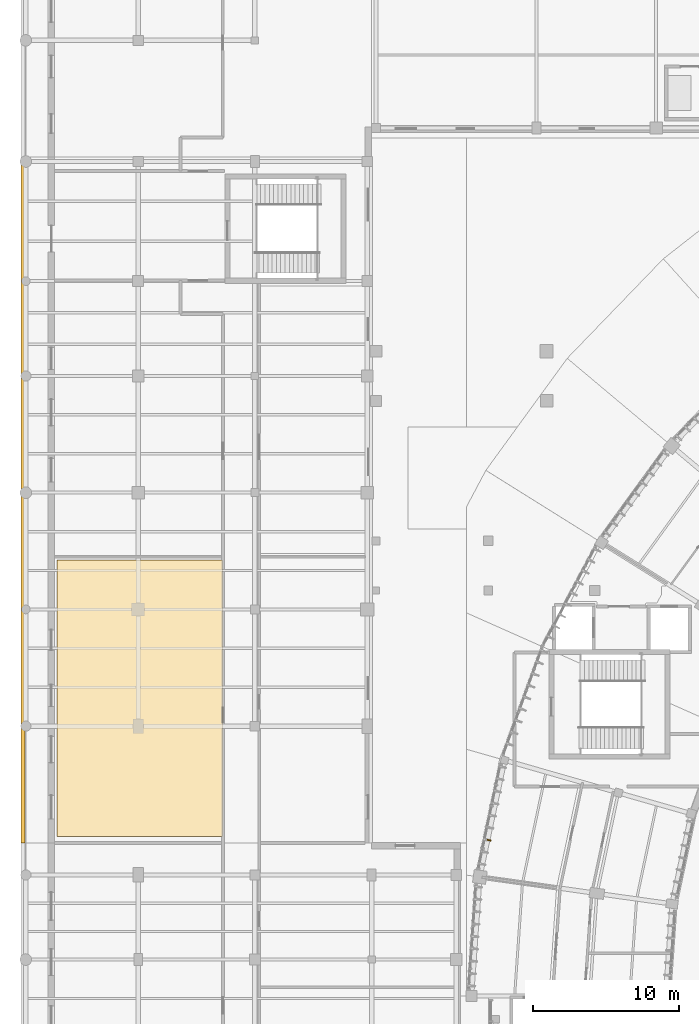
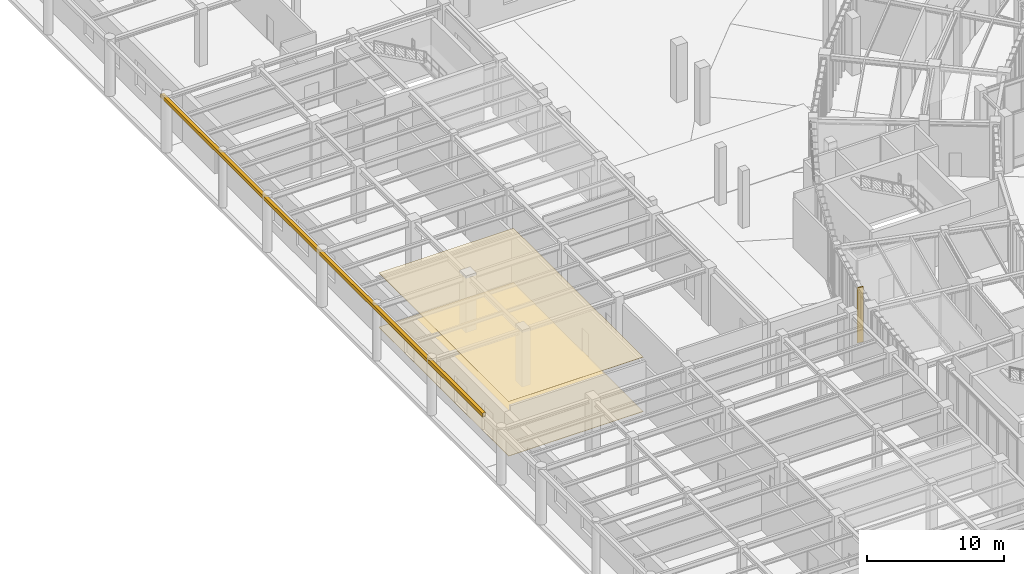
# One storey, part 56 of 68: 4 coverings.
"""IFC4 building model written with IfcOpenShell, lengths in metres."""

import ifcopenshell
import ifcopenshell.guid

model = None  # the IFC model being written
_history = None  # IfcOwnerHistory: only IFC2X3 demands one
_inside = {}  # id of a spatial element -> (the spatial element, [elements in it])
_under = {}  # id of a project, library or spatial element -> (it, [spatial elements below it])
_declared = {}  # id of a project -> (the project, [libraries it declares])
_typed = {}  # id of a type object -> (the type object, [elements of that type])
_made_of = {}  # id of a material, layer set ... -> (it, [elements and type objects made of it])


def new_model(schema):
    """Start an empty IFC model of exactly this schema.

    Asked for "IFC4X3", IfcOpenShell would pick the latest addendum, in which some entities
    have other attributes; the version numbers below select the first issue.
    IFC2X3 requires an IfcOwnerHistory on every rooted entity: one is made here for all.
    """
    global model, _history
    if schema == "IFC4X3":
        model = ifcopenshell.file(schema_version=(4, 3, 0, 0))
    else:
        model = ifcopenshell.file(schema=schema)
    _inside.clear()
    _under.clear()
    _declared.clear()
    _typed.clear()
    _made_of.clear()
    _history = None
    if model.schema == "IFC2X3":
        org = make("IfcOrganization", Name="unknown")
        user = make(
            "IfcPersonAndOrganization",
            ThePerson=make("IfcPerson", FamilyName="unknown"),
            TheOrganization=org,
        )
        app = make(
            "IfcApplication",
            ApplicationDeveloper=org,
            Version="unknown",
            ApplicationFullName="unknown",
            ApplicationIdentifier="unknown",
        )
        _history = make(
            "IfcOwnerHistory",
            OwningUser=user,
            OwningApplication=app,
            ChangeAction="ADDED",
            CreationDate=0,
        )
    return model


def make(cls, **values):
    """One entity of the class cls with the attributes given. An attribute that is None is left unset."""
    return model.create_entity(
        cls, **{name: value for name, value in values.items() if value is not None}
    )


def rooted(cls, **values):
    """An entity with a GlobalId (a new one), such as an element, a storey or a relation."""
    return make(cls, GlobalId=ifcopenshell.guid.new(), OwnerHistory=_history, **values)


def si_unit(unit_type, name, prefix=None):
    """IfcSIUnit, for example si_unit("LENGTHUNIT", "METRE", prefix="MILLI")."""
    return make("IfcSIUnit", UnitType=unit_type, Prefix=prefix, Name=name)


def assignment(units):
    """IfcUnitAssignment: the units of a project."""
    return None if units is None else make("IfcUnitAssignment", Units=units)


def point(xyz):
    """IfcCartesianPoint."""
    return None if xyz is None else make("IfcCartesianPoint", Coordinates=xyz)


def direction(xyz):
    """IfcDirection."""
    return None if xyz is None else make("IfcDirection", DirectionRatios=xyz)


def frame(location, z_axis=None, x_axis=None):
    """IfcAxis2Placement3D, a coordinate frame: its origin and axes. An axis left out is left unset."""
    return make(
        "IfcAxis2Placement3D",
        Location=point(location),
        Axis=direction(z_axis),
        RefDirection=direction(x_axis),
    )


def frame_2d(location, x_axis=None):
    """IfcAxis2Placement2D, a coordinate frame in the plane: its origin and x axis."""
    return make(
        "IfcAxis2Placement2D", Location=point(location), RefDirection=direction(x_axis)
    )


def origin():
    """The frame at (0, 0, 0) with its axes left unset."""
    return frame((0.0, 0.0, 0.0))


def origin_2d():
    """The frame at (0, 0) in the plane with its x axis left unset."""
    return frame_2d((0.0, 0.0))


def place(relative_to, where):
    """IfcLocalPlacement: puts the frame where relative to a parent placement (None: the world)."""
    return make(
        "IfcLocalPlacement", PlacementRelTo=relative_to, RelativePlacement=where
    )


def context(
    kind, dimensions, precision=None, world=None, true_north=None, identifier=None
):
    """IfcGeometricRepresentationContext, for example the 3D "Model" context."""
    return make(
        "IfcGeometricRepresentationContext",
        ContextIdentifier=identifier,
        ContextType=kind,
        CoordinateSpaceDimension=dimensions,
        Precision=precision,
        WorldCoordinateSystem=world,
        TrueNorth=true_north,
    )


def subcontext(parent, identifier, kind, view, scale=None):
    """IfcGeometricRepresentationSubContext, for example "Body" below "Model"."""
    return make(
        "IfcGeometricRepresentationSubContext",
        ContextIdentifier=identifier,
        ContextType=kind,
        ParentContext=parent,
        TargetScale=scale,
        TargetView=view,
    )


def project(units=None, contexts=None):
    """IfcProject with its units and contexts."""
    return rooted(
        "IfcProject",
        Name="project",
        RepresentationContexts=contexts,
        UnitsInContext=assignment(units),
    )


def spatial(cls, under=None, at=None, **own):
    """A site, building, storey or space (cls), placed at a placement, below another one or the project."""
    s = rooted(cls, ObjectPlacement=at, **own)
    if under is not None:
        _under.setdefault(under.id(), (under, []))[1].append(s)
    return s


def polyline(points):
    """IfcPolyline through the points."""
    return make("IfcPolyline", Points=[point(p) for p in points])


def profile(cls, at=None, kind="AREA", **sizes):
    """A parametric profile (cls). Its sizes go by their IFC names, for example OverallWidth=200.0."""
    return make(cls, ProfileType=kind, Position=at, **sizes)


def rectangle(**sizes):
    """IfcRectangleProfileDef."""
    return profile("IfcRectangleProfileDef", **sizes)


def outline(outer, holes=None, kind="AREA"):
    """IfcArbitraryClosedProfileDef: a profile drawn as a closed curve; with holes, ...WithVoids."""
    if holes is None:
        return make("IfcArbitraryClosedProfileDef", ProfileType=kind, OuterCurve=outer)
    return make(
        "IfcArbitraryProfileDefWithVoids",
        ProfileType=kind,
        OuterCurve=outer,
        InnerCurves=holes,
    )


def extrude(swept, where, along, depth):
    """IfcExtrudedAreaSolid: the profile swept, set in the frame where, extruded along a direction by depth."""
    return make(
        "IfcExtrudedAreaSolid",
        SweptArea=swept,
        Position=where,
        ExtrudedDirection=direction(along),
        Depth=depth,
    )


def shape(context_of_items, identifier, shape_type, items):
    """IfcShapeRepresentation: the items that make up one representation, for example the "Body"."""
    return make(
        "IfcShapeRepresentation",
        ContextOfItems=context_of_items,
        RepresentationIdentifier=identifier,
        RepresentationType=shape_type,
        Items=items,
    )


def material(Name=None, Category=None):
    """IfcMaterial."""
    return make("IfcMaterial", Name=Name, Category=Category)


def layer(
    of_material, thickness, ventilated=None, Name=None, Category=None, Priority=None
):
    """IfcMaterialLayer: one layer of a wall or slab, of a material (None: an air gap)."""
    return make(
        "IfcMaterialLayer",
        Material=of_material,
        LayerThickness=thickness,
        IsVentilated=ventilated,
        Name=Name,
        Category=Category,
        Priority=Priority,
    )


def layer_set(layers, Name=None):
    """IfcMaterialLayerSet."""
    return make("IfcMaterialLayerSet", MaterialLayers=layers, LayerSetName=Name)


def made_of(thing, what):
    """Note that an element or type object is made of a material, layer set ...; save() writes the relation."""
    if what is not None:
        _made_of.setdefault(what.id(), (what, []))[1].append(thing)
    return thing


def type_object(cls, material=None, **own):
    """A type object (cls), such as IfcWallType, which elements share."""
    return made_of(rooted(cls, **own), material)


def element(
    cls,
    number,
    at=None,
    inside=None,
    cuts=None,
    type_object=None,
    material=None,
    context=None,
    identifier="Body",
    shape_type=None,
    held_by="IfcProductDefinitionShape",
    body=None,
    shapes=None,
    **own,
):
    """One element of the class cls, such as IfcWall. Its Tag is "e" and its number.

    at: its placement. inside: the storey or other place that contains it. cuts: it is an
    opening in that element (IfcRelVoidsElement). A single representation is given by context,
    identifier, shape_type and body (its items); several are given by shapes. held_by: the class
    of the entity that holds the representations. save() writes the other relations.
    """
    e = rooted(cls, Tag="e%d" % number, ObjectPlacement=at, **own)
    if body is not None:
        shapes = [shape(context, identifier, shape_type, body)]
    if shapes is not None:
        e.Representation = make(held_by, Representations=shapes)
    if inside is not None:
        _inside.setdefault(inside.id(), (inside, []))[1].append(e)
    if cuts is not None:
        rooted(
            "IfcRelVoidsElement", RelatingBuildingElement=cuts, RelatedOpeningElement=e
        )
    if type_object is not None:
        _typed.setdefault(type_object.id(), (type_object, []))[1].append(e)
    return made_of(e, material)


def aggregate(whole, parts):
    """IfcRelAggregates: a whole, such as a stair, and the parts it consists of."""
    return rooted("IfcRelAggregates", RelatingObject=whole, RelatedObjects=parts)


def save(model, path):
    """Write the relations noted so far, then the file.

    IfcRelAggregates (storeys below a building ...), IfcRelContainedInSpatialStructure (elements
    in a storey), IfcRelDefinesByType, IfcRelAssociatesMaterial and IfcRelDeclares: one each for
    every whole, place, type object, material and project.
    """
    for whole, parts in _under.values():
        aggregate(whole, parts)
    for where, things in _inside.values():
        rooted(
            "IfcRelContainedInSpatialStructure",
            RelatedElements=things,
            RelatingStructure=where,
        )
    for kind, things in _typed.values():
        rooted("IfcRelDefinesByType", RelatedObjects=things, RelatingType=kind)
    for what, things in _made_of.values():
        rooted("IfcRelAssociatesMaterial", RelatedObjects=things, RelatingMaterial=what)
    for by, libraries in _declared.values():
        rooted("IfcRelDeclares", RelatingContext=by, RelatedDefinitions=libraries)
    model.write(path)


model = new_model("IFC4")

# Units and contexts
model_context = context("Model", 3, precision=1e-05, world=origin(), true_north=direction((0.0, 1.0)))
body_context = subcontext(model_context, "Body", "Model", "MODEL_VIEW")
ifc_project = project(units=[si_unit("LENGTHUNIT", "METRE"), si_unit("AREAUNIT", "SQUARE_METRE"), si_unit("VOLUMEUNIT", "CUBIC_METRE"), si_unit("PLANEANGLEUNIT", "RADIAN"), si_unit("MASSUNIT", "GRAM", prefix="KILO"), si_unit("THERMODYNAMICTEMPERATUREUNIT", "KELVIN"), si_unit("POWERUNIT", "WATT")], contexts=[model_context])

# Site, building, storey
site_placement = place(None, origin())
site = spatial("IfcSite", under=ifc_project, at=site_placement, CompositionType="ELEMENT")
building_placement = place(site_placement, origin())
building = spatial("IfcBuilding", under=site, at=building_placement, Name="Solvatero Civic Police Headquarters", CompositionType="ELEMENT")
storey_placement = place(building_placement, origin())
storey = spatial("IfcBuildingStorey", under=building, at=storey_placement, Name="L00", CompositionType="ELEMENT", Elevation=0.0)

# Coverings
ifc_material_1 = material(Name="Mineral-Fibre Acoustic Tile", Category="gypsum")
ifc_layer_1 = layer(ifc_material_1, 0.02490234375)
ifc_layer_set_1 = layer_set([ifc_layer_1], Name="Mineral-Fibre Acoustic Tile")
covering_type_1 = type_object("IfcCoveringType", Name="COV-CEIL-AC", PredefinedType="CEILING", material=ifc_layer_set_1)
covering_1_placement = place(storey_placement, frame((0.0, 0.0, 4.85498046875)))
element("IfcCovering", 1, at=covering_1_placement, inside=storey, type_object=covering_type_1, Name="Acoustic Ceiling Protected Victim and Juvenile Reception Suite", PredefinedType="CEILING", context=body_context, shape_type="SweptSolid", body=[
    extrude(outline(polyline([(6.919921875, 36.919921875), (6.919921875, 55.8798828125), (18.280029296875, 55.8798828125), (18.280029296875, 36.919921875), (6.919921875, 36.919921875)])), origin(), (0.0, 0.0, 1.0), 0.02490234375),
])
ifc_material_2 = material(Name="Anodized Bronze Aluminium", Category="aluminium")
ifc_layer_2 = layer(ifc_material_2, 0.080078125)
ifc_layer_set_2 = layer_set([ifc_layer_2], Name="Anodized Bronze Aluminium")
covering_type_2 = type_object("IfcCoveringType", Name="COV-FIN-480", PredefinedType="CLADDING", material=ifc_layer_set_2)
covering_2_placement = place(storey_placement, frame((36.44091796875, 36.702392578125, -0.02001953125), z_axis=(0.0, 0.0, 1.0), x_axis=(-0.207911690818, -0.978147600734, 0.0)))
element("IfcCovering", 2, at=covering_2_placement, inside=storey, type_object=covering_type_2, Name="Vertical Brise-Soleil Fin 0132", PredefinedType="CLADDING", context=body_context, shape_type="SweptSolid", body=[
    extrude(rectangle(XDim=0.080078125, YDim=0.47998046875, at=origin_2d()), origin(), (0.0, 0.0, 1.0), 4.919921875),
])
ifc_material_3 = material(Name="Venetian Terrazzo Stone", Category="masonry")
ifc_layer_3 = layer(ifc_material_3, 0.034912109375)
ifc_layer_set_3 = layer_set([ifc_layer_3], Name="Venetian Terrazzo Stone")
covering_type_3 = type_object("IfcCoveringType", Name="COV-FLR-TER", PredefinedType="FLOORING", material=ifc_layer_set_3)
covering_3_placement = place(storey_placement, origin())
element("IfcCovering", 3, at=covering_3_placement, inside=storey, type_object=covering_type_3, Name="Flooring Protected Victim and Juvenile Reception Suite", PredefinedType="FLOORING", context=body_context, shape_type="SweptSolid", body=[
    extrude(outline(polyline([(6.919921875, 36.919921875), (6.919921875, 55.8798828125), (18.280029296875, 55.8798828125), (18.280029296875, 36.919921875), (6.919921875, 36.919921875)])), origin(), (0.0, 0.0, 1.0), 0.034912109375),
])
ifc_material_4 = material(Name="Cream Limestone Ashlar", Category="masonry")
ifc_layer_4 = layer(ifc_material_4, 0.10009765625)
ifc_layer_set_4 = layer_set([ifc_layer_4], Name="Cream Limestone Ashlar")
covering_type_4 = type_object("IfcCoveringType", Name="COV-TRIM-STONE", PredefinedType="CLADDING", material=ifc_layer_set_4)
covering_4_placement = place(storey_placement, frame((4.60009765625, 60.0, 4.6201171875), z_axis=(0.0, 0.0, 1.0), x_axis=(1.0, 0.0, 0.0)))
element("IfcCovering", 4, at=covering_4_placement, inside=storey, type_object=covering_type_4, Name="Classical Limestone Trim TRIM-V6-L00-W", PredefinedType="CLADDING", context=body_context, shape_type="SweptSolid", body=[
    extrude(rectangle(XDim=0.280029296875, YDim=47.0, at=origin_2d()), origin(), (0.0, 0.0, 1.0), 0.320068359375),
])

save(model, "model.ifc")
